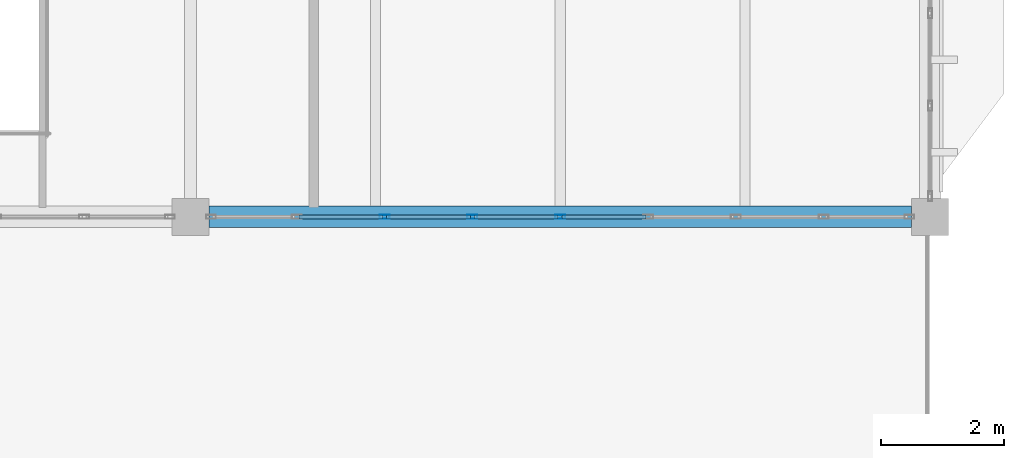
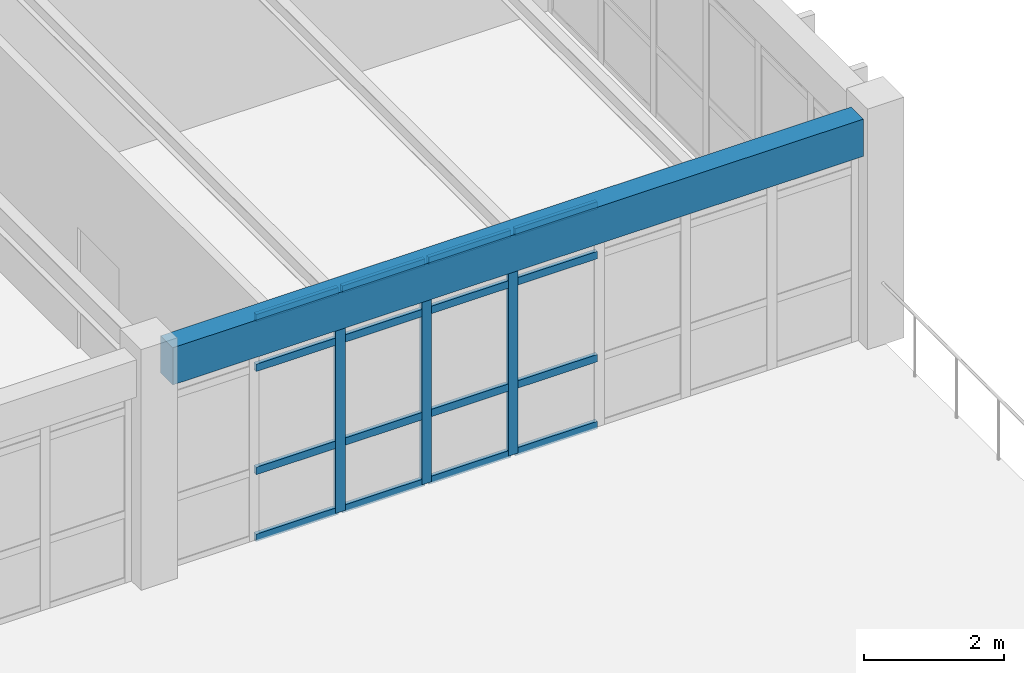
# One storey, part 29 of 83: 19 members, 1 beam, 1 element without a shape of its own.
"""IFC4 building model written with IfcOpenShell, lengths in metres."""

from ifc_helpers import new_model, si_unit, direction, frame, origin, origin_2d, place, context, subcontext, project, spatial, rectangle, hollow_rectangle, extrude, material, layer, layer_set, material_profile, profile_set, type_object, element, aggregate, save


model = new_model("IFC4")

# Units and contexts
model_context = context("Model", 3, precision=1e-05, world=origin(), true_north=direction((0.0, 1.0)))
body_context = subcontext(model_context, "Body", "Model", "MODEL_VIEW")
ifc_project = project(units=[si_unit("LENGTHUNIT", "METRE"), si_unit("AREAUNIT", "SQUARE_METRE"), si_unit("VOLUMEUNIT", "CUBIC_METRE"), si_unit("PLANEANGLEUNIT", "RADIAN"), si_unit("MASSUNIT", "GRAM", prefix="KILO")], contexts=[model_context])

# Site, building, storey
site_placement = place(None, origin())
site = spatial("IfcSite", under=ifc_project, at=site_placement, CompositionType="ELEMENT")
building_placement = place(site_placement, origin())
building = spatial("IfcBuilding", under=site, at=building_placement, Name="Pandanus Reach Market Hall", CompositionType="ELEMENT")
storey_placement = place(building_placement, frame((0.0, 0.0, 10.199951171875)))
storey = spatial("IfcBuildingStorey", under=building, at=storey_placement, Name="L02", CompositionType="ELEMENT", Elevation=10.199951171875)

# Beam
ifc_material_1 = material(Name="Concrete N40 (40 MPa)", Category="concrete")
ifc_material_profile_1 = material_profile(ifc_material_1, rectangle(XDim=0.35009765625, YDim=0.64990234375, at=origin_2d()), Name="RC350x650", Category="LoadBearing")
ifc_profile_set_1 = profile_set([ifc_material_profile_1], Name="Concrete N40 (40 MPa)")
beam_type = type_object("IfcBeamType", Name="BM-RC350-E", PredefinedType="SPANDREL", material=ifc_profile_set_1)
beam_placement = place(storey_placement, frame((168.298095703125, 19.199951171875, 3.625), z_axis=(1.0, 0.0, 0.0), x_axis=(0.0, 1.0, 0.0)))
element("IfcBeam", 1, at=beam_placement, inside=storey, type_object=beam_type, Name="Framing beam BM-RC350-E L02.439", PredefinedType="SPANDREL", context=body_context, shape_type="SweptSolid", body=[
    extrude(rectangle(XDim=0.35009765625, YDim=0.64990234375, at=origin_2d()), origin(), (0.0, 0.0, 1.0), 11.40380859375),
])

# Curtain wall, members
ifc_material_2 = material(Name="Bronze anodised aluminium and low-E glass", Category="aluminium")
ifc_layer = layer(ifc_material_2, 0.159912109375, Name="CW-30")
ifc_layer_set = layer_set([ifc_layer], Name="Bronze anodised aluminium and low-E glass")
curtain_wall_type = type_object("IfcCurtainWallType", Name="CW-30", PredefinedType="NOTDEFINED", material=ifc_layer_set)
curtain_wall_placement = place(storey_placement, origin())
curtain_wall = element("IfcCurtainWall", 2, at=curtain_wall_placement, inside=storey, type_object=curtain_wall_type, Name="Glazed curtain wall CW-30 CW-0101", PredefinedType="NOTDEFINED")
ifc_material_3 = material(Name="Bronze anodised aluminium", Category="aluminium")
ifc_material_profile_2 = material_profile(ifc_material_3, hollow_rectangle(XDim=0.06494140625, YDim=0.159912109375, WallThickness=0.00390625, at=origin_2d()), Name="ALU65x160", Category="LoadBearing")
ifc_profile_set_2 = profile_set([ifc_material_profile_2], Name="Bronze anodised aluminium")
member_type_1 = type_object("IfcMemberType", Name="CW-M1", PredefinedType="MULLION", material=ifc_profile_set_2)
member_1_placement = place(storey_placement, frame((171.14990234375, 19.199951171875, 0.0), z_axis=(0.0, 0.0, 1.0), x_axis=(0.0, 1.0, 0.0)))
member_1 = element("IfcMember", 3, at=member_1_placement, type_object=member_type_1, Name="CW-30 mullion 3", PredefinedType="MULLION", context=body_context, shape_type="SweptSolid", body=[
    extrude(hollow_rectangle(XDim=0.06494140625, YDim=0.159912109375, WallThickness=0.00390625, at=origin_2d()), origin(), (0.0, 0.0, 1.0), 3.900146484375),
])
member_2_placement = place(storey_placement, frame((172.574951171875, 19.199951171875, 0.0), z_axis=(0.0, 0.0, 1.0), x_axis=(0.0, 1.0, 0.0)))
member_2 = element("IfcMember", 4, at=member_2_placement, type_object=member_type_1, Name="CW-30 mullion 4", PredefinedType="MULLION", context=body_context, shape_type="SweptSolid", body=[
    extrude(hollow_rectangle(XDim=0.06494140625, YDim=0.159912109375, WallThickness=0.00390625, at=origin_2d()), origin(), (0.0, 0.0, 1.0), 3.900146484375),
])
member_3_placement = place(storey_placement, frame((174.0, 19.199951171875, 0.0), z_axis=(0.0, 0.0, 1.0), x_axis=(0.0, 1.0, 0.0)))
member_3 = element("IfcMember", 5, at=member_3_placement, type_object=member_type_1, Name="CW-30 mullion 5", PredefinedType="MULLION", context=body_context, shape_type="SweptSolid", body=[
    extrude(hollow_rectangle(XDim=0.06494140625, YDim=0.159912109375, WallThickness=0.00390625, at=origin_2d()), origin(), (0.0, 0.0, 1.0), 3.900146484375),
])
ifc_material_profile_3 = material_profile(ifc_material_3, hollow_rectangle(XDim=0.06494140625, YDim=0.1298828125, WallThickness=0.00390625, at=origin_2d()), Name="ALU65x130", Category="LoadBearing")
ifc_profile_set_3 = profile_set([ifc_material_profile_3], Name="Bronze anodised aluminium")
member_type_2 = type_object("IfcMemberType", Name="CW-T1", PredefinedType="USERDEFINED", material=ifc_profile_set_3)
member_4_placement = place(storey_placement, frame((169.757568359375, 19.199951171875, 0.032470703125), z_axis=(1.0, 0.0, 0.0), x_axis=(0.0, 1.0, 0.0)))
member_4 = element("IfcMember", 6, at=member_4_placement, type_object=member_type_2, Name="CW-30 transom 2.1", ObjectType="TRANSOM", PredefinedType="USERDEFINED", context=body_context, shape_type="SweptSolid", body=[
    extrude(hollow_rectangle(XDim=0.06494140625, YDim=0.1298828125, WallThickness=0.00390625, at=origin_2d()), origin(), (0.0, 0.0, 1.0), 1.35986328125),
])
member_5_placement = place(storey_placement, frame((169.757568359375, 19.199951171875, 1.199951171875), z_axis=(1.0, 0.0, 0.0), x_axis=(0.0, 1.0, 0.0)))
member_5 = element("IfcMember", 7, at=member_5_placement, type_object=member_type_2, Name="CW-30 transom 2.2", ObjectType="TRANSOM", PredefinedType="USERDEFINED", context=body_context, shape_type="SweptSolid", body=[
    extrude(hollow_rectangle(XDim=0.06494140625, YDim=0.1298828125, WallThickness=0.00390625, at=origin_2d()), origin(), (0.0, 0.0, 1.0), 1.35986328125),
])
member_6_placement = place(storey_placement, frame((169.757568359375, 19.199951171875, 3.0), z_axis=(1.0, 0.0, 0.0), x_axis=(0.0, 1.0, 0.0)))
member_6 = element("IfcMember", 8, at=member_6_placement, type_object=member_type_2, Name="CW-30 transom 2.3", ObjectType="TRANSOM", PredefinedType="USERDEFINED", context=body_context, shape_type="SweptSolid", body=[
    extrude(hollow_rectangle(XDim=0.06494140625, YDim=0.1298828125, WallThickness=0.00390625, at=origin_2d()), origin(), (0.0, 0.0, 1.0), 1.35986328125),
])
member_7_placement = place(storey_placement, frame((169.757568359375, 19.199951171875, 3.867431640625), z_axis=(1.0, 0.0, 0.0), x_axis=(0.0, 1.0, 0.0)))
member_7 = element("IfcMember", 9, at=member_7_placement, type_object=member_type_2, Name="CW-30 transom 2.4", ObjectType="TRANSOM", PredefinedType="USERDEFINED", context=body_context, shape_type="SweptSolid", body=[
    extrude(hollow_rectangle(XDim=0.06494140625, YDim=0.1298828125, WallThickness=0.00390625, at=origin_2d()), origin(), (0.0, 0.0, 1.0), 1.35986328125),
])
member_8_placement = place(storey_placement, frame((171.1826171875, 19.199951171875, 0.032470703125), z_axis=(1.0, 0.0, 0.0), x_axis=(0.0, 1.0, 0.0)))
member_8 = element("IfcMember", 10, at=member_8_placement, type_object=member_type_2, Name="CW-30 transom 3.1", ObjectType="TRANSOM", PredefinedType="USERDEFINED", context=body_context, shape_type="SweptSolid", body=[
    extrude(hollow_rectangle(XDim=0.06494140625, YDim=0.1298828125, WallThickness=0.00390625, at=origin_2d()), origin(), (0.0, 0.0, 1.0), 1.35986328125),
])
member_9_placement = place(storey_placement, frame((171.1826171875, 19.199951171875, 1.199951171875), z_axis=(1.0, 0.0, 0.0), x_axis=(0.0, 1.0, 0.0)))
member_9 = element("IfcMember", 11, at=member_9_placement, type_object=member_type_2, Name="CW-30 transom 3.2", ObjectType="TRANSOM", PredefinedType="USERDEFINED", context=body_context, shape_type="SweptSolid", body=[
    extrude(hollow_rectangle(XDim=0.06494140625, YDim=0.1298828125, WallThickness=0.00390625, at=origin_2d()), origin(), (0.0, 0.0, 1.0), 1.35986328125),
])
member_10_placement = place(storey_placement, frame((171.1826171875, 19.199951171875, 3.0), z_axis=(1.0, 0.0, 0.0), x_axis=(0.0, 1.0, 0.0)))
member_10 = element("IfcMember", 12, at=member_10_placement, type_object=member_type_2, Name="CW-30 transom 3.3", ObjectType="TRANSOM", PredefinedType="USERDEFINED", context=body_context, shape_type="SweptSolid", body=[
    extrude(hollow_rectangle(XDim=0.06494140625, YDim=0.1298828125, WallThickness=0.00390625, at=origin_2d()), origin(), (0.0, 0.0, 1.0), 1.35986328125),
])
member_11_placement = place(storey_placement, frame((171.1826171875, 19.199951171875, 3.867431640625), z_axis=(1.0, 0.0, 0.0), x_axis=(0.0, 1.0, 0.0)))
member_11 = element("IfcMember", 13, at=member_11_placement, type_object=member_type_2, Name="CW-30 transom 3.4", ObjectType="TRANSOM", PredefinedType="USERDEFINED", context=body_context, shape_type="SweptSolid", body=[
    extrude(hollow_rectangle(XDim=0.06494140625, YDim=0.1298828125, WallThickness=0.00390625, at=origin_2d()), origin(), (0.0, 0.0, 1.0), 1.35986328125),
])
member_12_placement = place(storey_placement, frame((172.607421875, 19.199951171875, 0.032470703125), z_axis=(1.0, 0.0, 0.0), x_axis=(0.0, 1.0, 0.0)))
member_12 = element("IfcMember", 14, at=member_12_placement, type_object=member_type_2, Name="CW-30 transom 4.1", ObjectType="TRANSOM", PredefinedType="USERDEFINED", context=body_context, shape_type="SweptSolid", body=[
    extrude(hollow_rectangle(XDim=0.06494140625, YDim=0.1298828125, WallThickness=0.00390625, at=origin_2d()), origin(), (0.0, 0.0, 1.0), 1.360107421875),
])
member_13_placement = place(storey_placement, frame((172.607421875, 19.199951171875, 1.199951171875), z_axis=(1.0, 0.0, 0.0), x_axis=(0.0, 1.0, 0.0)))
member_13 = element("IfcMember", 15, at=member_13_placement, type_object=member_type_2, Name="CW-30 transom 4.2", ObjectType="TRANSOM", PredefinedType="USERDEFINED", context=body_context, shape_type="SweptSolid", body=[
    extrude(hollow_rectangle(XDim=0.06494140625, YDim=0.1298828125, WallThickness=0.00390625, at=origin_2d()), origin(), (0.0, 0.0, 1.0), 1.360107421875),
])
member_14_placement = place(storey_placement, frame((172.607421875, 19.199951171875, 3.0), z_axis=(1.0, 0.0, 0.0), x_axis=(0.0, 1.0, 0.0)))
member_14 = element("IfcMember", 16, at=member_14_placement, type_object=member_type_2, Name="CW-30 transom 4.3", ObjectType="TRANSOM", PredefinedType="USERDEFINED", context=body_context, shape_type="SweptSolid", body=[
    extrude(hollow_rectangle(XDim=0.06494140625, YDim=0.1298828125, WallThickness=0.00390625, at=origin_2d()), origin(), (0.0, 0.0, 1.0), 1.360107421875),
])
member_15_placement = place(storey_placement, frame((172.607421875, 19.199951171875, 3.867431640625), z_axis=(1.0, 0.0, 0.0), x_axis=(0.0, 1.0, 0.0)))
member_15 = element("IfcMember", 17, at=member_15_placement, type_object=member_type_2, Name="CW-30 transom 4.4", ObjectType="TRANSOM", PredefinedType="USERDEFINED", context=body_context, shape_type="SweptSolid", body=[
    extrude(hollow_rectangle(XDim=0.06494140625, YDim=0.1298828125, WallThickness=0.00390625, at=origin_2d()), origin(), (0.0, 0.0, 1.0), 1.360107421875),
])
member_16_placement = place(storey_placement, frame((174.032470703125, 19.199951171875, 0.032470703125), z_axis=(1.0, 0.0, 0.0), x_axis=(0.0, 1.0, 0.0)))
member_16 = element("IfcMember", 18, at=member_16_placement, type_object=member_type_2, Name="CW-30 transom 5.1", ObjectType="TRANSOM", PredefinedType="USERDEFINED", context=body_context, shape_type="SweptSolid", body=[
    extrude(hollow_rectangle(XDim=0.06494140625, YDim=0.1298828125, WallThickness=0.00390625, at=origin_2d()), origin(), (0.0, 0.0, 1.0), 1.360107421875),
])
member_17_placement = place(storey_placement, frame((174.032470703125, 19.199951171875, 1.199951171875), z_axis=(1.0, 0.0, 0.0), x_axis=(0.0, 1.0, 0.0)))
member_17 = element("IfcMember", 19, at=member_17_placement, type_object=member_type_2, Name="CW-30 transom 5.2", ObjectType="TRANSOM", PredefinedType="USERDEFINED", context=body_context, shape_type="SweptSolid", body=[
    extrude(hollow_rectangle(XDim=0.06494140625, YDim=0.1298828125, WallThickness=0.00390625, at=origin_2d()), origin(), (0.0, 0.0, 1.0), 1.360107421875),
])
member_18_placement = place(storey_placement, frame((174.032470703125, 19.199951171875, 3.0), z_axis=(1.0, 0.0, 0.0), x_axis=(0.0, 1.0, 0.0)))
member_18 = element("IfcMember", 20, at=member_18_placement, type_object=member_type_2, Name="CW-30 transom 5.3", ObjectType="TRANSOM", PredefinedType="USERDEFINED", context=body_context, shape_type="SweptSolid", body=[
    extrude(hollow_rectangle(XDim=0.06494140625, YDim=0.1298828125, WallThickness=0.00390625, at=origin_2d()), origin(), (0.0, 0.0, 1.0), 1.360107421875),
])
member_19_placement = place(storey_placement, frame((174.032470703125, 19.199951171875, 3.867431640625), z_axis=(1.0, 0.0, 0.0), x_axis=(0.0, 1.0, 0.0)))
member_19 = element("IfcMember", 21, at=member_19_placement, type_object=member_type_2, Name="CW-30 transom 5.4", ObjectType="TRANSOM", PredefinedType="USERDEFINED", context=body_context, shape_type="SweptSolid", body=[
    extrude(hollow_rectangle(XDim=0.06494140625, YDim=0.1298828125, WallThickness=0.00390625, at=origin_2d()), origin(), (0.0, 0.0, 1.0), 1.360107421875),
])
aggregate(curtain_wall, [member_1, member_2, member_3, member_4, member_5, member_6, member_7, member_8, member_9, member_10, member_11, member_12, member_13, member_14, member_15, member_16, member_17, member_18, member_19])

save(model, "model.ifc")
